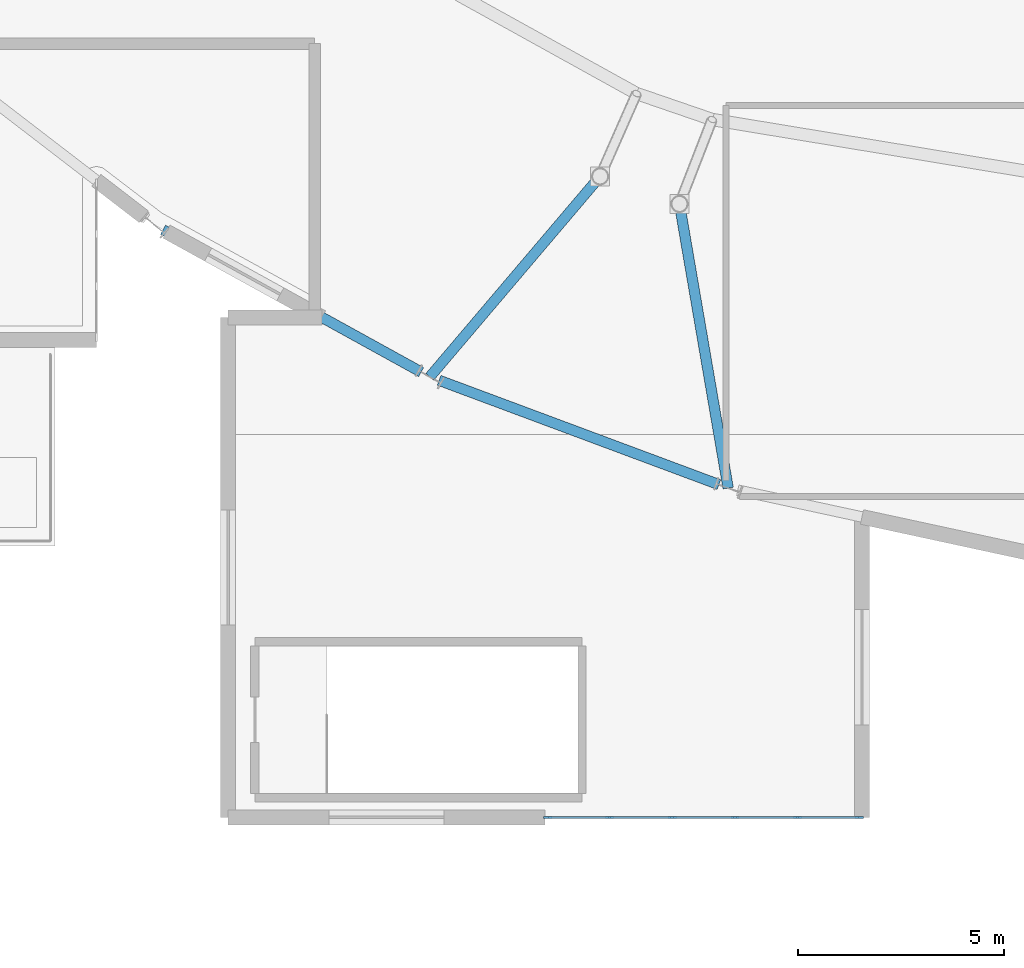
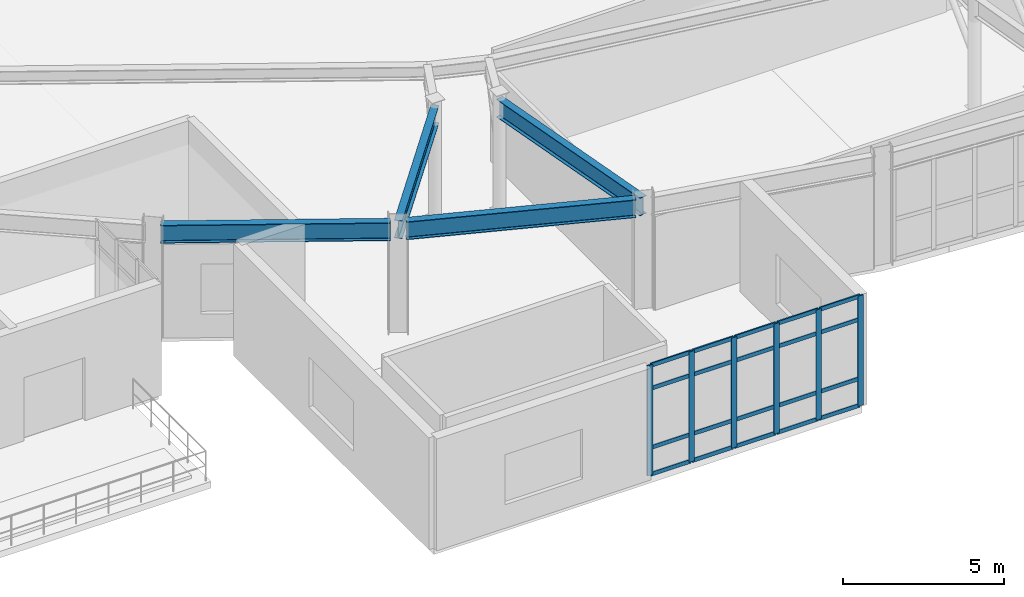
# One storey, part 18 of 48: 26 members, 4 beams, 1 element without a shape of its own.
"""IFC4 building model written with IfcOpenShell, lengths in metres."""

from ifc_helpers import new_model, si_unit, direction, frame, origin, origin_2d, place, context, subcontext, project, spatial, rectangle, i_section, extrude, material, material_profile, profile_set, type_object, element, aggregate, save


model = new_model("IFC4")

# Units and contexts
model_context = context("Model", 3, precision=1e-05, world=origin(), true_north=direction((0.0, 1.0)))
body_context = subcontext(model_context, "Body", "Model", "MODEL_VIEW")
ifc_project = project(units=[si_unit("LENGTHUNIT", "METRE"), si_unit("AREAUNIT", "SQUARE_METRE"), si_unit("VOLUMEUNIT", "CUBIC_METRE"), si_unit("PLANEANGLEUNIT", "RADIAN"), si_unit("MASSUNIT", "GRAM", prefix="KILO")], contexts=[model_context])

# Site, building, storey
site_placement = place(None, origin())
site = spatial("IfcSite", under=ifc_project, at=site_placement, CompositionType="ELEMENT")
building_placement = place(site_placement, origin())
building = spatial("IfcBuilding", under=site, at=building_placement, Name="Glasvene Arena", CompositionType="ELEMENT")
storey_placement = place(building_placement, frame((0.0, 0.0, 19.5)))
storey = spatial("IfcBuildingStorey", under=building, at=storey_placement, Name="L04", CompositionType="ELEMENT", Elevation=19.5)

# Beams
ifc_material_1 = material(Name="Steel S355J2", Category="steel")
ifc_material_profile_1 = material_profile(ifc_material_1, i_section(OverallWidth=0.253662109375, OverallDepth=0.68359375, WebThickness=0.012451171875, FlangeThickness=0.01904296875, FilletRadius=0.01513671875, at=origin_2d()), Name="UKB 686x254x140")
ifc_profile_set_1 = profile_set([ifc_material_profile_1], Name="Steel S355J2")
beam_type = type_object("IfcBeamType", Name="BM-GIRD-686", PredefinedType="BEAM", material=ifc_profile_set_1)
beam_1_placement = place(storey_placement, frame((62.82080078125, 36.478271484375, 3.908203125), z_axis=(0.875653765723, -0.482939419156, 0.0), x_axis=(0.482939419156, 0.875653765723, 0.0)))
element("IfcBeam", 1, at=beam_1_placement, inside=storey, type_object=beam_type, Name="Bowl ring chord beam L04-27", PredefinedType="BEAM", context=body_context, shape_type="SweptSolid", body=[
    extrude(i_section(OverallWidth=0.253662109375, OverallDepth=0.68359375, WebThickness=0.012451171875, FlangeThickness=0.01904296875, FilletRadius=0.01513671875, at=origin_2d()), origin(), (0.0, 0.0, 1.0), 7.159912109375),
])
beam_2_placement = place(storey_placement, frame((69.525390625, 32.82080078125, 3.908203125), z_axis=(0.937013245498, -0.349293827259, 0.0), x_axis=(0.349293827259, 0.937013245498, 0.0)))
element("IfcBeam", 2, at=beam_2_placement, inside=storey, type_object=beam_type, Name="Bowl ring chord beam L04-28", PredefinedType="BEAM", context=body_context, shape_type="SweptSolid", body=[
    extrude(i_section(OverallWidth=0.253662109375, OverallDepth=0.68359375, WebThickness=0.012451171875, FlangeThickness=0.01904296875, FilletRadius=0.01513671875, at=origin_2d()), origin(), (0.0, 0.0, 1.0), 7.255859375),
])
beam_3_placement = place(storey_placement, frame((73.43701171875, 37.774169921875, 3.908203125), z_axis=(-0.647421006623, -0.762132560768, 0.0), x_axis=(0.762132560768, -0.647421006623, 0.0)))
element("IfcBeam", 3, at=beam_3_placement, inside=storey, type_object=beam_type, Name="Gondola outer floor beam 22", PredefinedType="BEAM", context=body_context, shape_type="SweptSolid", body=[
    extrude(i_section(OverallWidth=0.253662109375, OverallDepth=0.68359375, WebThickness=0.012451171875, FlangeThickness=0.01904296875, FilletRadius=0.01513671875, at=origin_2d()), origin(), (0.0, 0.0, 1.0), 6.38916015625),
])
beam_4_placement = place(storey_placement, frame((75.365234375, 37.10546875, 3.908203125), z_axis=(0.169060564867, -0.985605664253, 0.0), x_axis=(0.985605664253, 0.169060564867, 0.0)))
element("IfcBeam", 4, at=beam_4_placement, inside=storey, type_object=beam_type, Name="Gondola outer floor beam 23", PredefinedType="BEAM", context=body_context, shape_type="SweptSolid", body=[
    extrude(i_section(OverallWidth=0.253662109375, OverallDepth=0.68359375, WebThickness=0.012451171875, FlangeThickness=0.01904296875, FilletRadius=0.01513671875, at=origin_2d()), origin(), (0.0, 0.0, 1.0), 7.00390625),
])

# Curtain wall, members
ifc_material_2 = material(Name="Low-emissivity laminated double glazing", Category="glass")
curtain_wall_type = type_object("IfcCurtainWallType", Name="CW-FAC-L03-762x419", PredefinedType="USERDEFINED", material=ifc_material_2)
curtain_wall_placement = place(storey_placement, frame((79.760009765625, 22.199951171875, 0.0)))
curtain_wall = element("IfcCurtainWall", 5, at=curtain_wall_placement, inside=storey, type_object=curtain_wall_type, Name="Unitised curtain wall CW-F-L04-180-759-222-61", ObjectType="CURTAIN WALL", PredefinedType="USERDEFINED")
ifc_material_3 = material(Name="Anodised architectural aluminium", Category="aluminium")
ifc_material_profile_2 = material_profile(ifc_material_3, rectangle(XDim=0.050048828125, YDim=0.199951171875, at=origin_2d()), Name="ALU MULLION 50x200")
ifc_profile_set_2 = profile_set([ifc_material_profile_2], Name="Anodised architectural aluminium")
member_type_1 = type_object("IfcMemberType", Name="CW-MUL-180", PredefinedType="MULLION", material=ifc_profile_set_2)
member_1_placement = place(storey_placement, frame((79.735107421875, 22.199951171875, 0.06005859375), z_axis=(0.0, 0.0, 1.0), x_axis=(0.0, -1.0, 0.0)))
member_1 = element("IfcMember", 6, at=member_1_placement, type_object=member_type_1, Name="CW-043 mullion 1", PredefinedType="MULLION", context=body_context, shape_type="SweptSolid", body=[
    extrude(rectangle(XDim=0.050048828125, YDim=0.199951171875, at=origin_2d()), origin(), (0.0, 0.0, 1.0), 4.18994140625),
])
member_2_placement = place(storey_placement, frame((78.236083984375, 22.199951171875, 0.06005859375), z_axis=(0.0, 0.0, 1.0), x_axis=(0.0, -1.0, 0.0)))
member_2 = element("IfcMember", 7, at=member_2_placement, type_object=member_type_1, Name="CW-043 mullion 2", PredefinedType="MULLION", context=body_context, shape_type="SweptSolid", body=[
    extrude(rectangle(XDim=0.050048828125, YDim=0.199951171875, at=origin_2d()), origin(), (0.0, 0.0, 1.0), 4.18994140625),
])
member_3_placement = place(storey_placement, frame((76.7119140625, 22.199951171875, 0.06005859375), z_axis=(0.0, 0.0, 1.0), x_axis=(0.0, -1.0, 0.0)))
member_3 = element("IfcMember", 8, at=member_3_placement, type_object=member_type_1, Name="CW-043 mullion 3", PredefinedType="MULLION", context=body_context, shape_type="SweptSolid", body=[
    extrude(rectangle(XDim=0.050048828125, YDim=0.199951171875, at=origin_2d()), origin(), (0.0, 0.0, 1.0), 4.18994140625),
])
member_4_placement = place(storey_placement, frame((75.18798828125, 22.199951171875, 0.06005859375), z_axis=(0.0, 0.0, 1.0), x_axis=(0.0, -1.0, 0.0)))
member_4 = element("IfcMember", 9, at=member_4_placement, type_object=member_type_1, Name="CW-043 mullion 4", PredefinedType="MULLION", context=body_context, shape_type="SweptSolid", body=[
    extrude(rectangle(XDim=0.050048828125, YDim=0.199951171875, at=origin_2d()), origin(), (0.0, 0.0, 1.0), 4.18994140625),
])
member_5_placement = place(storey_placement, frame((73.6640625, 22.199951171875, 0.06005859375), z_axis=(0.0, 0.0, 1.0), x_axis=(0.0, -1.0, 0.0)))
member_5 = element("IfcMember", 10, at=member_5_placement, type_object=member_type_1, Name="CW-043 mullion 5", PredefinedType="MULLION", context=body_context, shape_type="SweptSolid", body=[
    extrude(rectangle(XDim=0.050048828125, YDim=0.199951171875, at=origin_2d()), origin(), (0.0, 0.0, 1.0), 4.18994140625),
])
member_6_placement = place(storey_placement, frame((72.1650390625, 22.199951171875, 0.06005859375), z_axis=(0.0, 0.0, 1.0), x_axis=(0.0, -1.0, 0.0)))
member_6 = element("IfcMember", 11, at=member_6_placement, type_object=member_type_1, Name="CW-043 mullion 6", PredefinedType="MULLION", context=body_context, shape_type="SweptSolid", body=[
    extrude(rectangle(XDim=0.050048828125, YDim=0.199951171875, at=origin_2d()), origin(), (0.0, 0.0, 1.0), 4.18994140625),
])
ifc_material_profile_3 = material_profile(ifc_material_3, rectangle(XDim=0.050048828125, YDim=0.14990234375, at=origin_2d()), Name="ALU TRANSOM 50x150")
ifc_profile_set_3 = profile_set([ifc_material_profile_3], Name="Anodised architectural aluminium")
member_type_2 = type_object("IfcMemberType", Name="CW-TRN-150", PredefinedType="USERDEFINED", material=ifc_profile_set_3)
member_7_placement = place(storey_placement, frame((79.7099609375, 22.199951171875, 0.0849609375), z_axis=(-1.0, 0.0, 0.0), x_axis=(0.0, -1.0, 0.0)))
member_7 = element("IfcMember", 12, at=member_7_placement, type_object=member_type_2, Name="CW-043 transom 1.1", ObjectType="TRANSOM", PredefinedType="USERDEFINED", context=body_context, shape_type="SweptSolid", body=[
    extrude(rectangle(XDim=0.050048828125, YDim=0.14990234375, at=origin_2d()), origin(), (0.0, 0.0, 1.0), 1.448974609375),
])
member_8_placement = place(storey_placement, frame((79.7099609375, 22.199951171875, 1.10009765625), z_axis=(-1.0, 0.0, 0.0), x_axis=(0.0, -1.0, 0.0)))
member_8 = element("IfcMember", 13, at=member_8_placement, type_object=member_type_2, Name="CW-043 transom 1.2", ObjectType="TRANSOM", PredefinedType="USERDEFINED", context=body_context, shape_type="SweptSolid", body=[
    extrude(rectangle(XDim=0.050048828125, YDim=0.14990234375, at=origin_2d()), origin(), (0.0, 0.0, 1.0), 1.448974609375),
])
member_9_placement = place(storey_placement, frame((79.7099609375, 22.199951171875, 3.35009765625), z_axis=(-1.0, 0.0, 0.0), x_axis=(0.0, -1.0, 0.0)))
member_9 = element("IfcMember", 14, at=member_9_placement, type_object=member_type_2, Name="CW-043 transom 1.3", ObjectType="TRANSOM", PredefinedType="USERDEFINED", context=body_context, shape_type="SweptSolid", body=[
    extrude(rectangle(XDim=0.050048828125, YDim=0.14990234375, at=origin_2d()), origin(), (0.0, 0.0, 1.0), 1.448974609375),
])
member_10_placement = place(storey_placement, frame((79.7099609375, 22.199951171875, 4.22509765625), z_axis=(-1.0, 0.0, 0.0), x_axis=(0.0, -1.0, 0.0)))
member_10 = element("IfcMember", 15, at=member_10_placement, type_object=member_type_2, Name="CW-043 transom 1.4", ObjectType="TRANSOM", PredefinedType="USERDEFINED", context=body_context, shape_type="SweptSolid", body=[
    extrude(rectangle(XDim=0.050048828125, YDim=0.14990234375, at=origin_2d()), origin(), (0.0, 0.0, 1.0), 1.448974609375),
])
member_11_placement = place(storey_placement, frame((78.2109375, 22.199951171875, 0.0849609375), z_axis=(-1.0, 0.0, 0.0), x_axis=(0.0, -1.0, 0.0)))
member_11 = element("IfcMember", 16, at=member_11_placement, type_object=member_type_2, Name="CW-043 transom 2.1", ObjectType="TRANSOM", PredefinedType="USERDEFINED", context=body_context, shape_type="SweptSolid", body=[
    extrude(rectangle(XDim=0.050048828125, YDim=0.14990234375, at=origin_2d()), origin(), (0.0, 0.0, 1.0), 1.473876953125),
])
member_12_placement = place(storey_placement, frame((78.2109375, 22.199951171875, 1.10009765625), z_axis=(-1.0, 0.0, 0.0), x_axis=(0.0, -1.0, 0.0)))
member_12 = element("IfcMember", 17, at=member_12_placement, type_object=member_type_2, Name="CW-043 transom 2.2", ObjectType="TRANSOM", PredefinedType="USERDEFINED", context=body_context, shape_type="SweptSolid", body=[
    extrude(rectangle(XDim=0.050048828125, YDim=0.14990234375, at=origin_2d()), origin(), (0.0, 0.0, 1.0), 1.473876953125),
])
member_13_placement = place(storey_placement, frame((78.2109375, 22.199951171875, 3.35009765625), z_axis=(-1.0, 0.0, 0.0), x_axis=(0.0, -1.0, 0.0)))
member_13 = element("IfcMember", 18, at=member_13_placement, type_object=member_type_2, Name="CW-043 transom 2.3", ObjectType="TRANSOM", PredefinedType="USERDEFINED", context=body_context, shape_type="SweptSolid", body=[
    extrude(rectangle(XDim=0.050048828125, YDim=0.14990234375, at=origin_2d()), origin(), (0.0, 0.0, 1.0), 1.473876953125),
])
member_14_placement = place(storey_placement, frame((78.2109375, 22.199951171875, 4.22509765625), z_axis=(-1.0, 0.0, 0.0), x_axis=(0.0, -1.0, 0.0)))
member_14 = element("IfcMember", 19, at=member_14_placement, type_object=member_type_2, Name="CW-043 transom 2.4", ObjectType="TRANSOM", PredefinedType="USERDEFINED", context=body_context, shape_type="SweptSolid", body=[
    extrude(rectangle(XDim=0.050048828125, YDim=0.14990234375, at=origin_2d()), origin(), (0.0, 0.0, 1.0), 1.473876953125),
])
member_15_placement = place(storey_placement, frame((76.68701171875, 22.199951171875, 0.0849609375), z_axis=(-1.0, 0.0, 0.0), x_axis=(0.0, -1.0, 0.0)))
member_15 = element("IfcMember", 20, at=member_15_placement, type_object=member_type_2, Name="CW-043 transom 3.1", ObjectType="TRANSOM", PredefinedType="USERDEFINED", context=body_context, shape_type="SweptSolid", body=[
    extrude(rectangle(XDim=0.050048828125, YDim=0.14990234375, at=origin_2d()), origin(), (0.0, 0.0, 1.0), 1.47412109375),
])
member_16_placement = place(storey_placement, frame((76.68701171875, 22.199951171875, 1.10009765625), z_axis=(-1.0, 0.0, 0.0), x_axis=(0.0, -1.0, 0.0)))
member_16 = element("IfcMember", 21, at=member_16_placement, type_object=member_type_2, Name="CW-043 transom 3.2", ObjectType="TRANSOM", PredefinedType="USERDEFINED", context=body_context, shape_type="SweptSolid", body=[
    extrude(rectangle(XDim=0.050048828125, YDim=0.14990234375, at=origin_2d()), origin(), (0.0, 0.0, 1.0), 1.47412109375),
])
member_17_placement = place(storey_placement, frame((76.68701171875, 22.199951171875, 3.35009765625), z_axis=(-1.0, 0.0, 0.0), x_axis=(0.0, -1.0, 0.0)))
member_17 = element("IfcMember", 22, at=member_17_placement, type_object=member_type_2, Name="CW-043 transom 3.3", ObjectType="TRANSOM", PredefinedType="USERDEFINED", context=body_context, shape_type="SweptSolid", body=[
    extrude(rectangle(XDim=0.050048828125, YDim=0.14990234375, at=origin_2d()), origin(), (0.0, 0.0, 1.0), 1.47412109375),
])
member_18_placement = place(storey_placement, frame((76.68701171875, 22.199951171875, 4.22509765625), z_axis=(-1.0, 0.0, 0.0), x_axis=(0.0, -1.0, 0.0)))
member_18 = element("IfcMember", 23, at=member_18_placement, type_object=member_type_2, Name="CW-043 transom 3.4", ObjectType="TRANSOM", PredefinedType="USERDEFINED", context=body_context, shape_type="SweptSolid", body=[
    extrude(rectangle(XDim=0.050048828125, YDim=0.14990234375, at=origin_2d()), origin(), (0.0, 0.0, 1.0), 1.47412109375),
])
member_19_placement = place(storey_placement, frame((75.1630859375, 22.199951171875, 0.0849609375), z_axis=(-1.0, 0.0, 0.0), x_axis=(0.0, -1.0, 0.0)))
member_19 = element("IfcMember", 24, at=member_19_placement, type_object=member_type_2, Name="CW-043 transom 4.1", ObjectType="TRANSOM", PredefinedType="USERDEFINED", context=body_context, shape_type="SweptSolid", body=[
    extrude(rectangle(XDim=0.050048828125, YDim=0.14990234375, at=origin_2d()), origin(), (0.0, 0.0, 1.0), 1.47412109375),
])
member_20_placement = place(storey_placement, frame((75.1630859375, 22.199951171875, 1.10009765625), z_axis=(-1.0, 0.0, 0.0), x_axis=(0.0, -1.0, 0.0)))
member_20 = element("IfcMember", 25, at=member_20_placement, type_object=member_type_2, Name="CW-043 transom 4.2", ObjectType="TRANSOM", PredefinedType="USERDEFINED", context=body_context, shape_type="SweptSolid", body=[
    extrude(rectangle(XDim=0.050048828125, YDim=0.14990234375, at=origin_2d()), origin(), (0.0, 0.0, 1.0), 1.47412109375),
])
member_21_placement = place(storey_placement, frame((75.1630859375, 22.199951171875, 3.35009765625), z_axis=(-1.0, 0.0, 0.0), x_axis=(0.0, -1.0, 0.0)))
member_21 = element("IfcMember", 26, at=member_21_placement, type_object=member_type_2, Name="CW-043 transom 4.3", ObjectType="TRANSOM", PredefinedType="USERDEFINED", context=body_context, shape_type="SweptSolid", body=[
    extrude(rectangle(XDim=0.050048828125, YDim=0.14990234375, at=origin_2d()), origin(), (0.0, 0.0, 1.0), 1.47412109375),
])
member_22_placement = place(storey_placement, frame((75.1630859375, 22.199951171875, 4.22509765625), z_axis=(-1.0, 0.0, 0.0), x_axis=(0.0, -1.0, 0.0)))
member_22 = element("IfcMember", 27, at=member_22_placement, type_object=member_type_2, Name="CW-043 transom 4.4", ObjectType="TRANSOM", PredefinedType="USERDEFINED", context=body_context, shape_type="SweptSolid", body=[
    extrude(rectangle(XDim=0.050048828125, YDim=0.14990234375, at=origin_2d()), origin(), (0.0, 0.0, 1.0), 1.47412109375),
])
member_23_placement = place(storey_placement, frame((73.638916015625, 22.199951171875, 0.0849609375), z_axis=(-1.0, 0.0, 0.0), x_axis=(0.0, -1.0, 0.0)))
member_23 = element("IfcMember", 28, at=member_23_placement, type_object=member_type_2, Name="CW-043 transom 5.1", ObjectType="TRANSOM", PredefinedType="USERDEFINED", context=body_context, shape_type="SweptSolid", body=[
    extrude(rectangle(XDim=0.050048828125, YDim=0.14990234375, at=origin_2d()), origin(), (0.0, 0.0, 1.0), 1.448974609375),
])
member_24_placement = place(storey_placement, frame((73.638916015625, 22.199951171875, 1.10009765625), z_axis=(-1.0, 0.0, 0.0), x_axis=(0.0, -1.0, 0.0)))
member_24 = element("IfcMember", 29, at=member_24_placement, type_object=member_type_2, Name="CW-043 transom 5.2", ObjectType="TRANSOM", PredefinedType="USERDEFINED", context=body_context, shape_type="SweptSolid", body=[
    extrude(rectangle(XDim=0.050048828125, YDim=0.14990234375, at=origin_2d()), origin(), (0.0, 0.0, 1.0), 1.448974609375),
])
member_25_placement = place(storey_placement, frame((73.638916015625, 22.199951171875, 3.35009765625), z_axis=(-1.0, 0.0, 0.0), x_axis=(0.0, -1.0, 0.0)))
member_25 = element("IfcMember", 30, at=member_25_placement, type_object=member_type_2, Name="CW-043 transom 5.3", ObjectType="TRANSOM", PredefinedType="USERDEFINED", context=body_context, shape_type="SweptSolid", body=[
    extrude(rectangle(XDim=0.050048828125, YDim=0.14990234375, at=origin_2d()), origin(), (0.0, 0.0, 1.0), 1.448974609375),
])
member_26_placement = place(storey_placement, frame((73.638916015625, 22.199951171875, 4.22509765625), z_axis=(-1.0, 0.0, 0.0), x_axis=(0.0, -1.0, 0.0)))
member_26 = element("IfcMember", 31, at=member_26_placement, type_object=member_type_2, Name="CW-043 transom 5.4", ObjectType="TRANSOM", PredefinedType="USERDEFINED", context=body_context, shape_type="SweptSolid", body=[
    extrude(rectangle(XDim=0.050048828125, YDim=0.14990234375, at=origin_2d()), origin(), (0.0, 0.0, 1.0), 1.448974609375),
])
aggregate(curtain_wall, [member_1, member_2, member_3, member_4, member_5, member_6, member_7, member_8, member_9, member_10, member_11, member_12, member_13, member_14, member_15, member_16, member_17, member_18, member_19, member_20, member_21, member_22, member_23, member_24, member_25, member_26])

save(model, "model.ifc")
